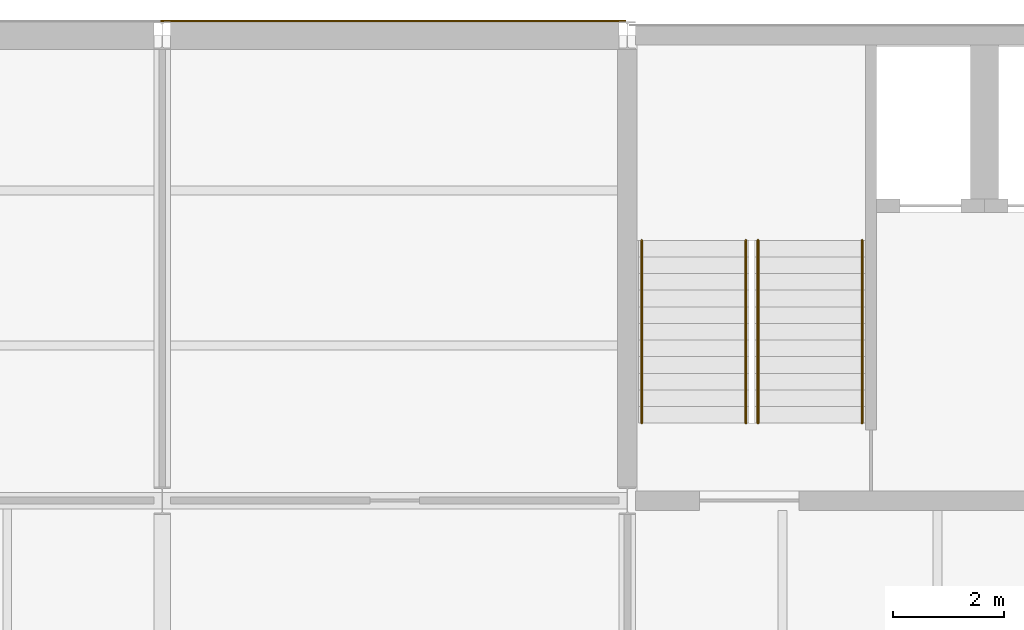
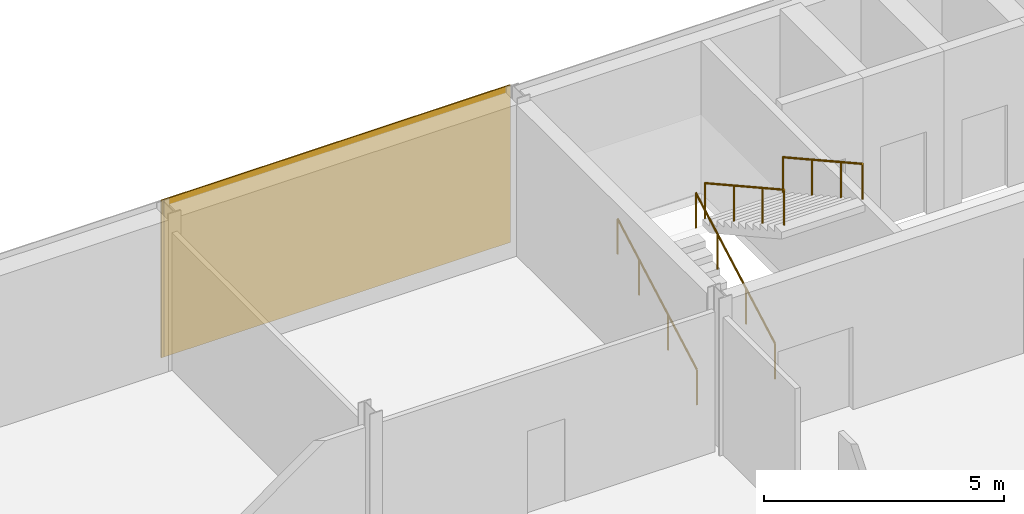
# One storey, part 11 of 12: 4 railings, 2 coverings.
"""IFC4 building model written with IfcOpenShell, lengths in metres."""

from ifc_helpers import new_model, si_unit, direction, frame, origin, origin_2d, place, context, subcontext, project, spatial, rectangle, circle, extrude, material, layer, layer_set, type_object, element, save


model = new_model("IFC4")

# Units and contexts
model_context = context("Model", 3, precision=1e-05, world=origin(), true_north=direction((0.0, 1.0)))
body_context = subcontext(model_context, "Body", "Model", "MODEL_VIEW")
ifc_project = project(units=[si_unit("LENGTHUNIT", "METRE"), si_unit("AREAUNIT", "SQUARE_METRE"), si_unit("VOLUMEUNIT", "CUBIC_METRE"), si_unit("PLANEANGLEUNIT", "RADIAN"), si_unit("MASSUNIT", "GRAM", prefix="KILO")], contexts=[model_context])

# Site, building, storey
site_placement = place(None, origin())
site = spatial("IfcSite", under=ifc_project, at=site_placement, CompositionType="ELEMENT")
building_placement = place(site_placement, origin())
building = spatial("IfcBuilding", under=site, at=building_placement, Name="Galleria Vessillo Department Store", CompositionType="ELEMENT")
storey_placement = place(building_placement, frame((0.0, 0.0, 35.60009765625)))
storey = spatial("IfcBuildingStorey", under=building, at=storey_placement, Name="L07", CompositionType="ELEMENT", Elevation=35.60009765625)

# Coverings
ifc_material_1 = material(Name="Lime plaster (intonaco) ochre")
ifc_layer = layer(ifc_material_1, 0.030029296875)
ifc_layer_set = layer_set([ifc_layer], Name="Lime plaster (intonaco) ochre")
covering_type = type_object("IfcCoveringType", Name="Lime plaster render 30 mm", PredefinedType="CLADDING", material=ifc_layer_set)
covering_1_placement = place(storey_placement, frame((96.60009765625, 63.264892578125, 0.0), z_axis=(0.0, 0.0, 1.0), x_axis=(1.0, 0.0, 0.0)))
element("IfcCovering", 1, at=covering_1_placement, inside=storey, type_object=covering_type, Name="Wall cladding S-TN-L07-02", PredefinedType="CLADDING", context=body_context, shape_type="SweptSolid", body=[
    extrude(rectangle(XDim=8.34033203125, YDim=0.030029296875, at=origin_2d()), origin(), (0.0, 0.0, 1.0), 4.0),
])
covering_2_placement = place(storey_placement, frame((92.39990234375, 63.264892578125, 0.0), z_axis=(0.0, 0.0, 1.0), x_axis=(1.0, 0.0, 0.0)))
element("IfcCovering", 2, at=covering_2_placement, inside=storey, type_object=covering_type, Name="Joint block Wall cladding S-TN-L07-01", PredefinedType="CLADDING", context=body_context, shape_type="SweptSolid", body=[
    extrude(rectangle(XDim=0.059814453125, YDim=0.030029296875, at=origin_2d()), origin(), (0.0, 0.0, 1.0), 4.0),
])

# Railings
ifc_material_2 = material(Name="Stainless steel tube", Category="steel")
railing_type = type_object("IfcRailingType", Name="Stair handrail steel tube 48 mm", PredefinedType="HANDRAIL", material=ifc_material_2)
for number, where, name in (
    (3, (101.06005859375, 56.0, 0.166748046875), "Handrail ST8 L07 flight 1A"),
    (4, (102.93994140625, 56.0, 0.166748046875), "Handrail ST8 L07 flight 1B"),
):
    element("IfcRailing", number, at=place(storey_placement, frame(where)), inside=storey, type_object=railing_type, Name=name, PredefinedType="HANDRAIL", context=body_context, shape_type="SweptSolid", body=[
        extrude(circle(Radius=0.02392578125, at=origin_2d()), frame((0.0, 0.0, 0.89599609375), z_axis=(0.0, 0.874199221805, 0.485567421267), x_axis=(-1.0, 0.0, 0.0)), (0.0, 0.0, 1.0), 1.37255859375),
        extrude(circle(Radius=0.02392578125, at=origin_2d()), frame((0.0, 1.199951171875, 1.5625), z_axis=(0.0, 0.874123717778, 0.485703331282), x_axis=(-1.0, 0.0, 0.0)), (0.0, 0.0, 1.0), 1.372802734375),
        extrude(circle(Radius=0.02392578125, at=origin_2d()), frame((0.0, 2.39990234375, 2.22900390625), z_axis=(0.0, 0.874190826042, 0.485582536407), x_axis=(-1.0, 0.0, 0.0)), (0.0, 0.0, 1.0), 1.02978515625),
        extrude(circle(Radius=0.02099609375, at=origin_2d()), origin(), (0.0, 0.0, 1.0), 0.871826171875),
        extrude(circle(Radius=0.02099609375, at=origin_2d()), frame((0.0, 1.199951171875, 0.66650390625)), (0.0, 0.0, 1.0), 0.871826171875),
        extrude(circle(Radius=0.02099609375, at=origin_2d()), frame((0.0, 2.39990234375, 1.333251953125)), (0.0, 0.0, 1.0), 0.871826171875),
        extrude(circle(Radius=0.02099609375, at=origin_2d()), frame((0.0, 3.300048828125, 1.833251953125)), (0.0, 0.0, 1.0), 0.871826171875),
    ])
for number, where, name in (
    (5, (105.0400390625, 59.300048828125, 2.166748046875), "Handrail ST8 L07 flight 2A"),
    (6, (103.16015625, 59.300048828125, 2.166748046875), "Handrail ST8 L07 flight 2B"),
):
    element("IfcRailing", number, at=place(storey_placement, frame(where)), inside=storey, type_object=railing_type, Name=name, PredefinedType="HANDRAIL", context=body_context, shape_type="SweptSolid", body=[
        extrude(circle(Radius=0.02392578125, at=origin_2d()), frame((0.0, 0.0, 0.89599609375), z_axis=(0.0, -0.874199221805, 0.485567421267), x_axis=(1.0, 0.0, 0.0)), (0.0, 0.0, 1.0), 1.37255859375),
        extrude(circle(Radius=0.02392578125, at=origin_2d()), frame((0.0, -1.199951171875, 1.5625), z_axis=(0.0, -0.874123717778, 0.485703331282), x_axis=(1.0, 0.0, 0.0)), (0.0, 0.0, 1.0), 1.372802734375),
        extrude(circle(Radius=0.02392578125, at=origin_2d()), frame((0.0, -2.39990234375, 2.22900390625), z_axis=(0.0, -0.874190826042, 0.485582536407), x_axis=(1.0, 0.0, 0.0)), (0.0, 0.0, 1.0), 1.02978515625),
        extrude(circle(Radius=0.02099609375, at=origin_2d()), origin(), (0.0, 0.0, 1.0), 0.871826171875),
        extrude(circle(Radius=0.02099609375, at=origin_2d()), frame((0.0, -1.199951171875, 0.66650390625)), (0.0, 0.0, 1.0), 0.871826171875),
        extrude(circle(Radius=0.02099609375, at=origin_2d()), frame((0.0, -2.39990234375, 1.333251953125)), (0.0, 0.0, 1.0), 0.871826171875),
        extrude(circle(Radius=0.02099609375, at=origin_2d()), frame((0.0, -3.300048828125, 1.833251953125)), (0.0, 0.0, 1.0), 0.871826171875),
    ])

save(model, "model.ifc")
